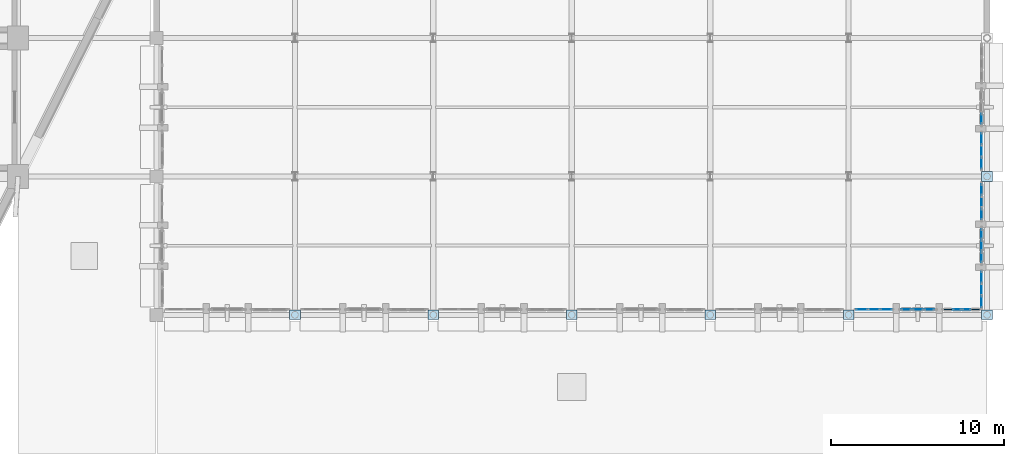
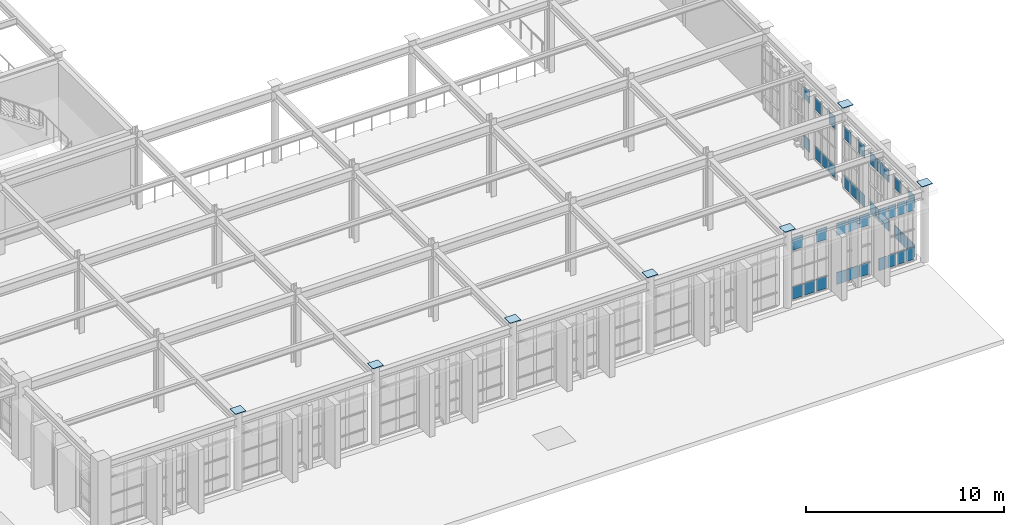
# One storey, part 128 of 155: 49 plates, 8 elements without a shape of their own.
"""IFC4 building model written with IfcOpenShell, lengths in metres."""

from ifc_helpers import new_model, si_unit, direction, frame, origin, origin_2d, place, context, subcontext, project, spatial, rectangle, extrude, material, layer, layer_set, type_object, element, aggregate, save


model = new_model("IFC4")

# Units and contexts
model_context = context("Model", 3, precision=1e-05, world=origin(), true_north=direction((0.0, 1.0)))
body_context = subcontext(model_context, "Body", "Model", "MODEL_VIEW")
ifc_project = project(units=[si_unit("LENGTHUNIT", "METRE"), si_unit("AREAUNIT", "SQUARE_METRE"), si_unit("VOLUMEUNIT", "CUBIC_METRE"), si_unit("PLANEANGLEUNIT", "RADIAN"), si_unit("MASSUNIT", "GRAM", prefix="KILO")], contexts=[model_context])

# Site, building, storey
site_placement = place(None, origin())
site = spatial("IfcSite", under=ifc_project, at=site_placement, CompositionType="ELEMENT")
building_placement = place(site_placement, origin())
building = spatial("IfcBuilding", under=site, at=building_placement, Name="Tazarka Park Arena", CompositionType="ELEMENT")
storey_placement = place(building_placement, frame((0.0, 0.0, 5.39990234375)))
storey = spatial("IfcBuildingStorey", under=building, at=storey_placement, Name="L01", CompositionType="ELEMENT", Elevation=5.39990234375)

# Curtain wall, plates
ifc_material_1 = material(Name="Aluminium and low-e glass", Category="aluminium")
ifc_layer_1 = layer(ifc_material_1, 0.179931640625, Name="Aluminium and low-e glass")
ifc_layer_set_1 = layer_set([ifc_layer_1], Name="Aluminium and low-e glass")
curtain_wall_type_1 = type_object("IfcCurtainWallType", Name="CW-03", PredefinedType="NOTDEFINED", material=ifc_layer_set_1)
curtain_wall_1_placement = place(storey_placement, origin())
curtain_wall_1 = element("IfcCurtainWall", 1, at=curtain_wall_1_placement, inside=storey, type_object=curtain_wall_type_1, Name="Curtain Wall CWA-L01-183", PredefinedType="NOTDEFINED")
ifc_material_2 = material(Name="Double low-e insulated glazing", Category="glass")
ifc_layer_2 = layer(ifc_material_2, 0.028076171875, Name="Double low-e insulated glazing")
ifc_layer_set_2 = layer_set([ifc_layer_2], Name="Double low-e insulated glazing")
plate_type_1 = type_object("IfcPlateType", Name="CWP-01", PredefinedType="CURTAIN_PANEL", material=ifc_layer_set_2)
plate_1_placement = place(storey_placement, frame((178.173583984375, 40.320068359375, 0.065185546875), z_axis=(0.0, 0.0, 1.0), x_axis=(-1.0, 0.0, 0.0)))
plate_1 = element("IfcPlate", 2, at=plate_1_placement, type_object=plate_type_1, Name="CW-03 panel 1.1", PredefinedType="CURTAIN_PANEL", context=body_context, shape_type="SweptSolid", body=[
    extrude(rectangle(XDim=0.625244140625, YDim=0.028076171875, at=origin_2d()), origin(), (0.0, 0.0, 1.0), 0.75244140625),
])
plate_2_placement = place(storey_placement, frame((178.173583984375, 40.320068359375, 3.08251953125), z_axis=(0.0, 0.0, 1.0), x_axis=(-1.0, 0.0, 0.0)))
plate_2 = element("IfcPlate", 3, at=plate_2_placement, type_object=plate_type_1, Name="CW-03 panel 1.4", PredefinedType="CURTAIN_PANEL", context=body_context, shape_type="SweptSolid", body=[
    extrude(rectangle(XDim=0.625244140625, YDim=0.028076171875, at=origin_2d()), origin(), (0.0, 0.0, 1.0), 0.762451171875),
])
plate_3_placement = place(storey_placement, frame((177.467041015625, 40.320068359375, 0.065185546875), z_axis=(0.0, 0.0, 1.0), x_axis=(-1.0, 0.0, 0.0)))
plate_3 = element("IfcPlate", 4, at=plate_3_placement, type_object=plate_type_1, Name="CW-03 panel 2.1", PredefinedType="CURTAIN_PANEL", context=body_context, shape_type="SweptSolid", body=[
    extrude(rectangle(XDim=0.65771484375, YDim=0.028076171875, at=origin_2d()), origin(), (0.0, 0.0, 1.0), 0.75244140625),
])
plate_4_placement = place(storey_placement, frame((176.7607421875, 40.320068359375, 0.065185546875), z_axis=(0.0, 0.0, 1.0), x_axis=(-1.0, 0.0, 0.0)))
plate_4 = element("IfcPlate", 5, at=plate_4_placement, type_object=plate_type_1, Name="CW-03 panel 3.1", PredefinedType="CURTAIN_PANEL", context=body_context, shape_type="SweptSolid", body=[
    extrude(rectangle(XDim=0.625244140625, YDim=0.028076171875, at=origin_2d()), origin(), (0.0, 0.0, 1.0), 0.75244140625),
])
plate_5_placement = place(storey_placement, frame((176.7607421875, 40.320068359375, 3.08251953125), z_axis=(0.0, 0.0, 1.0), x_axis=(-1.0, 0.0, 0.0)))
plate_5 = element("IfcPlate", 6, at=plate_5_placement, type_object=plate_type_1, Name="CW-03 panel 3.4", PredefinedType="CURTAIN_PANEL", context=body_context, shape_type="SweptSolid", body=[
    extrude(rectangle(XDim=0.625244140625, YDim=0.028076171875, at=origin_2d()), origin(), (0.0, 0.0, 1.0), 0.762451171875),
])
aggregate(curtain_wall_1, [plate_1, plate_2, plate_3, plate_4, plate_5])

ifc_material_3 = material(Name="Aluminium and low-e glass", Category="aluminium")
ifc_layer_3 = layer(ifc_material_3, 0.179931640625, Name="Aluminium and low-e glass")
ifc_layer_set_3 = layer_set([ifc_layer_3], Name="Aluminium and low-e glass")
curtain_wall_type_2 = type_object("IfcCurtainWallType", Name="CW-06", PredefinedType="NOTDEFINED", material=ifc_layer_set_3)
curtain_wall_2_placement = place(storey_placement, origin())
curtain_wall_2 = element("IfcCurtainWall", 7, at=curtain_wall_2_placement, inside=storey, type_object=curtain_wall_type_2, Name="Curtain Wall CWA-L01-186", PredefinedType="NOTDEFINED")
plate_6_placement = place(storey_placement, frame((183.679931640625, 42.173583984375, 0.065185546875), z_axis=(0.0, 0.0, 1.0), x_axis=(0.0, -1.0, 0.0)))
plate_6 = element("IfcPlate", 8, at=plate_6_placement, type_object=plate_type_1, Name="CW-06 panel 1.1", PredefinedType="CURTAIN_PANEL", context=body_context, shape_type="SweptSolid", body=[
    extrude(rectangle(XDim=0.625244140625, YDim=0.028076171875, at=origin_2d()), origin(), (0.0, 0.0, 1.0), 0.75244140625),
])
plate_7_placement = place(storey_placement, frame((183.679931640625, 42.173583984375, 3.08251953125), z_axis=(0.0, 0.0, 1.0), x_axis=(0.0, -1.0, 0.0)))
plate_7 = element("IfcPlate", 9, at=plate_7_placement, type_object=plate_type_1, Name="CW-06 panel 1.4", PredefinedType="CURTAIN_PANEL", context=body_context, shape_type="SweptSolid", body=[
    extrude(rectangle(XDim=0.625244140625, YDim=0.028076171875, at=origin_2d()), origin(), (0.0, 0.0, 1.0), 0.762451171875),
])
plate_8_placement = place(storey_placement, frame((183.679931640625, 41.467041015625, 0.065185546875), z_axis=(0.0, 0.0, 1.0), x_axis=(0.0, -1.0, 0.0)))
plate_8 = element("IfcPlate", 10, at=plate_8_placement, type_object=plate_type_1, Name="CW-06 panel 2.1", PredefinedType="CURTAIN_PANEL", context=body_context, shape_type="SweptSolid", body=[
    extrude(rectangle(XDim=0.65771484375, YDim=0.028076171875, at=origin_2d()), origin(), (0.0, 0.0, 1.0), 0.75244140625),
])
plate_9_placement = place(storey_placement, frame((183.679931640625, 40.7607421875, 0.065185546875), z_axis=(0.0, 0.0, 1.0), x_axis=(0.0, -1.0, 0.0)))
plate_9 = element("IfcPlate", 11, at=plate_9_placement, type_object=plate_type_1, Name="CW-06 panel 3.1", PredefinedType="CURTAIN_PANEL", context=body_context, shape_type="SweptSolid", body=[
    extrude(rectangle(XDim=0.625244140625, YDim=0.028076171875, at=origin_2d()), origin(), (0.0, 0.0, 1.0), 0.75244140625),
])
plate_10_placement = place(storey_placement, frame((183.679931640625, 40.7607421875, 3.08251953125), z_axis=(0.0, 0.0, 1.0), x_axis=(0.0, -1.0, 0.0)))
plate_10 = element("IfcPlate", 12, at=plate_10_placement, type_object=plate_type_1, Name="CW-06 panel 3.4", PredefinedType="CURTAIN_PANEL", context=body_context, shape_type="SweptSolid", body=[
    extrude(rectangle(XDim=0.625244140625, YDim=0.028076171875, at=origin_2d()), origin(), (0.0, 0.0, 1.0), 0.762451171875),
])
aggregate(curtain_wall_2, [plate_6, plate_7, plate_8, plate_9, plate_10])

ifc_material_4 = material(Name="Aluminium and low-e glass", Category="aluminium")
ifc_layer_4 = layer(ifc_material_4, 0.179931640625, Name="Aluminium and low-e glass")
ifc_layer_set_4 = layer_set([ifc_layer_4], Name="Aluminium and low-e glass")
curtain_wall_type_3 = type_object("IfcCurtainWallType", Name="CW-09", PredefinedType="NOTDEFINED", material=ifc_layer_set_4)
curtain_wall_3_placement = place(storey_placement, origin())
curtain_wall_3 = element("IfcCurtainWall", 13, at=curtain_wall_3_placement, inside=storey, type_object=curtain_wall_type_3, Name="Curtain Wall CWA-L01-189", PredefinedType="NOTDEFINED")
plate_11_placement = place(storey_placement, frame((183.679931640625, 50.173583984375, 0.065185546875), z_axis=(0.0, 0.0, 1.0), x_axis=(0.0, -1.0, 0.0)))
plate_11 = element("IfcPlate", 14, at=plate_11_placement, type_object=plate_type_1, Name="CW-09 panel 1.1", PredefinedType="CURTAIN_PANEL", context=body_context, shape_type="SweptSolid", body=[
    extrude(rectangle(XDim=0.625244140625, YDim=0.028076171875, at=origin_2d()), origin(), (0.0, 0.0, 1.0), 0.75244140625),
])
plate_12_placement = place(storey_placement, frame((183.679931640625, 50.173583984375, 3.08251953125), z_axis=(0.0, 0.0, 1.0), x_axis=(0.0, -1.0, 0.0)))
plate_12 = element("IfcPlate", 15, at=plate_12_placement, type_object=plate_type_1, Name="CW-09 panel 1.4", PredefinedType="CURTAIN_PANEL", context=body_context, shape_type="SweptSolid", body=[
    extrude(rectangle(XDim=0.625244140625, YDim=0.028076171875, at=origin_2d()), origin(), (0.0, 0.0, 1.0), 0.762451171875),
])
plate_13_placement = place(storey_placement, frame((183.679931640625, 49.467041015625, 0.065185546875), z_axis=(0.0, 0.0, 1.0), x_axis=(0.0, -1.0, 0.0)))
plate_13 = element("IfcPlate", 16, at=plate_13_placement, type_object=plate_type_1, Name="CW-09 panel 2.1", PredefinedType="CURTAIN_PANEL", context=body_context, shape_type="SweptSolid", body=[
    extrude(rectangle(XDim=0.65771484375, YDim=0.028076171875, at=origin_2d()), origin(), (0.0, 0.0, 1.0), 0.75244140625),
])
plate_14_placement = place(storey_placement, frame((183.679931640625, 48.7607421875, 0.065185546875), z_axis=(0.0, 0.0, 1.0), x_axis=(0.0, -1.0, 0.0)))
plate_14 = element("IfcPlate", 17, at=plate_14_placement, type_object=plate_type_1, Name="CW-09 panel 3.1", PredefinedType="CURTAIN_PANEL", context=body_context, shape_type="SweptSolid", body=[
    extrude(rectangle(XDim=0.625244140625, YDim=0.028076171875, at=origin_2d()), origin(), (0.0, 0.0, 1.0), 0.75244140625),
])
plate_15_placement = place(storey_placement, frame((183.679931640625, 48.7607421875, 3.08251953125), z_axis=(0.0, 0.0, 1.0), x_axis=(0.0, -1.0, 0.0)))
plate_15 = element("IfcPlate", 18, at=plate_15_placement, type_object=plate_type_1, Name="CW-09 panel 3.4", PredefinedType="CURTAIN_PANEL", context=body_context, shape_type="SweptSolid", body=[
    extrude(rectangle(XDim=0.625244140625, YDim=0.028076171875, at=origin_2d()), origin(), (0.0, 0.0, 1.0), 0.762451171875),
])
aggregate(curtain_wall_3, [plate_11, plate_12, plate_13, plate_14, plate_15])

ifc_material_5 = material(Name="Aluminium and low-e glass", Category="aluminium")
ifc_layer_5 = layer(ifc_material_5, 0.179931640625, Name="Aluminium and low-e glass")
ifc_layer_set_5 = layer_set([ifc_layer_5], Name="Aluminium and low-e glass")
curtain_wall_type_4 = type_object("IfcCurtainWallType", Name="CW-01", PredefinedType="NOTDEFINED", material=ifc_layer_set_5)
curtain_wall_4_placement = place(storey_placement, origin())
curtain_wall_4 = element("IfcCurtainWall", 19, at=curtain_wall_4_placement, inside=storey, type_object=curtain_wall_type_4, Name="Curtain Wall CWA-L01-181", PredefinedType="NOTDEFINED")
ifc_material_6 = material(Name="Triple acoustic solar glazing", Category="glass")
ifc_layer_6 = layer(ifc_material_6, 0.031982421875, Name="Triple acoustic solar glazing")
ifc_layer_set_6 = layer_set([ifc_layer_6], Name="Triple acoustic solar glazing")
plate_type_2 = type_object("IfcPlateType", Name="CWP-02", PredefinedType="CURTAIN_PANEL", material=ifc_layer_set_6)
plate_16_placement = place(storey_placement, frame((183.32958984375, 40.320068359375, 0.065185546875), z_axis=(0.0, 0.0, 1.0), x_axis=(-1.0, 0.0, 0.0)))
plate_16 = element("IfcPlate", 20, at=plate_16_placement, type_object=plate_type_2, Name="CW-01 panel 1.1", PredefinedType="CURTAIN_PANEL", context=body_context, shape_type="SweptSolid", body=[
    extrude(rectangle(XDim=0.444580078125, YDim=0.031982421875, at=origin_2d()), origin(), (0.0, 0.0, 1.0), 0.75244140625),
])
plate_17_placement = place(storey_placement, frame((183.32958984375, 40.320068359375, 3.08251953125), z_axis=(0.0, 0.0, 1.0), x_axis=(-1.0, 0.0, 0.0)))
plate_17 = element("IfcPlate", 21, at=plate_17_placement, type_object=plate_type_2, Name="CW-01 panel 1.4", PredefinedType="CURTAIN_PANEL", context=body_context, shape_type="SweptSolid", body=[
    extrude(rectangle(XDim=0.444580078125, YDim=0.031982421875, at=origin_2d()), origin(), (0.0, 0.0, 1.0), 0.762451171875),
])
plate_18_placement = place(storey_placement, frame((182.803955078125, 40.320068359375, 0.065185546875), z_axis=(0.0, 0.0, 1.0), x_axis=(-1.0, 0.0, 0.0)))
plate_18 = element("IfcPlate", 22, at=plate_18_placement, type_object=plate_type_2, Name="CW-01 panel 2.1", PredefinedType="CURTAIN_PANEL", context=body_context, shape_type="SweptSolid", body=[
    extrude(rectangle(XDim=0.47705078125, YDim=0.031982421875, at=origin_2d()), origin(), (0.0, 0.0, 1.0), 0.75244140625),
])
plate_19_placement = place(storey_placement, frame((182.803955078125, 40.320068359375, 3.08251953125), z_axis=(0.0, 0.0, 1.0), x_axis=(-1.0, 0.0, 0.0)))
plate_19 = element("IfcPlate", 23, at=plate_19_placement, type_object=plate_type_2, Name="CW-01 panel 2.4", PredefinedType="CURTAIN_PANEL", context=body_context, shape_type="SweptSolid", body=[
    extrude(rectangle(XDim=0.47705078125, YDim=0.031982421875, at=origin_2d()), origin(), (0.0, 0.0, 1.0), 0.762451171875),
])
plate_20_placement = place(storey_placement, frame((182.261962890625, 40.320068359375, 0.065185546875), z_axis=(0.0, 0.0, 1.0), x_axis=(-1.0, 0.0, 0.0)))
plate_20 = element("IfcPlate", 24, at=plate_20_placement, type_object=plate_type_2, Name="CW-01 panel 3.1", PredefinedType="CURTAIN_PANEL", context=body_context, shape_type="SweptSolid", body=[
    extrude(rectangle(XDim=0.47705078125, YDim=0.031982421875, at=origin_2d()), origin(), (0.0, 0.0, 1.0), 0.75244140625),
])
plate_21_placement = place(storey_placement, frame((182.261962890625, 40.320068359375, 3.08251953125), z_axis=(0.0, 0.0, 1.0), x_axis=(-1.0, 0.0, 0.0)))
plate_21 = element("IfcPlate", 25, at=plate_21_placement, type_object=plate_type_2, Name="CW-01 panel 3.4", PredefinedType="CURTAIN_PANEL", context=body_context, shape_type="SweptSolid", body=[
    extrude(rectangle(XDim=0.47705078125, YDim=0.031982421875, at=origin_2d()), origin(), (0.0, 0.0, 1.0), 0.762451171875),
])
plate_22_placement = place(storey_placement, frame((181.736083984375, 40.320068359375, 0.065185546875), z_axis=(0.0, 0.0, 1.0), x_axis=(-1.0, 0.0, 0.0)))
plate_22 = element("IfcPlate", 26, at=plate_22_placement, type_object=plate_type_2, Name="CW-01 panel 4.1", PredefinedType="CURTAIN_PANEL", context=body_context, shape_type="SweptSolid", body=[
    extrude(rectangle(XDim=0.444580078125, YDim=0.031982421875, at=origin_2d()), origin(), (0.0, 0.0, 1.0), 0.75244140625),
])
plate_23_placement = place(storey_placement, frame((181.736083984375, 40.320068359375, 3.08251953125), z_axis=(0.0, 0.0, 1.0), x_axis=(-1.0, 0.0, 0.0)))
plate_23 = element("IfcPlate", 27, at=plate_23_placement, type_object=plate_type_2, Name="CW-01 panel 4.4", PredefinedType="CURTAIN_PANEL", context=body_context, shape_type="SweptSolid", body=[
    extrude(rectangle(XDim=0.444580078125, YDim=0.031982421875, at=origin_2d()), origin(), (0.0, 0.0, 1.0), 0.762451171875),
])
aggregate(curtain_wall_4, [plate_16, plate_17, plate_18, plate_19, plate_20, plate_21, plate_22, plate_23])

ifc_material_7 = material(Name="Aluminium and low-e glass", Category="aluminium")
ifc_layer_7 = layer(ifc_material_7, 0.179931640625, Name="Aluminium and low-e glass")
ifc_layer_set_7 = layer_set([ifc_layer_7], Name="Aluminium and low-e glass")
curtain_wall_type_5 = type_object("IfcCurtainWallType", Name="CW-04", PredefinedType="NOTDEFINED", material=ifc_layer_set_7)
curtain_wall_5_placement = place(storey_placement, origin())
curtain_wall_5 = element("IfcCurtainWall", 28, at=curtain_wall_5_placement, inside=storey, type_object=curtain_wall_type_5, Name="Curtain Wall CWA-L01-184", PredefinedType="NOTDEFINED")
plate_24_placement = place(storey_placement, frame((183.679931640625, 47.2392578125, 0.065185546875), z_axis=(0.0, 0.0, 1.0), x_axis=(0.0, -1.0, 0.0)))
plate_24 = element("IfcPlate", 29, at=plate_24_placement, type_object=plate_type_2, Name="CW-04 panel 1.1", PredefinedType="CURTAIN_PANEL", context=body_context, shape_type="SweptSolid", body=[
    extrude(rectangle(XDim=0.625244140625, YDim=0.031982421875, at=origin_2d()), origin(), (0.0, 0.0, 1.0), 0.75244140625),
])
plate_25_placement = place(storey_placement, frame((183.679931640625, 47.2392578125, 3.08251953125), z_axis=(0.0, 0.0, 1.0), x_axis=(0.0, -1.0, 0.0)))
plate_25 = element("IfcPlate", 30, at=plate_25_placement, type_object=plate_type_2, Name="CW-04 panel 1.4", PredefinedType="CURTAIN_PANEL", context=body_context, shape_type="SweptSolid", body=[
    extrude(rectangle(XDim=0.625244140625, YDim=0.031982421875, at=origin_2d()), origin(), (0.0, 0.0, 1.0), 0.762451171875),
])
plate_26_placement = place(storey_placement, frame((183.679931640625, 46.532958984375, 0.065185546875), z_axis=(0.0, 0.0, 1.0), x_axis=(0.0, -1.0, 0.0)))
plate_26 = element("IfcPlate", 31, at=plate_26_placement, type_object=plate_type_2, Name="CW-04 panel 2.1", PredefinedType="CURTAIN_PANEL", context=body_context, shape_type="SweptSolid", body=[
    extrude(rectangle(XDim=0.65771484375, YDim=0.031982421875, at=origin_2d()), origin(), (0.0, 0.0, 1.0), 0.75244140625),
])
plate_27_placement = place(storey_placement, frame((183.679931640625, 45.826416015625, 0.065185546875), z_axis=(0.0, 0.0, 1.0), x_axis=(0.0, -1.0, 0.0)))
plate_27 = element("IfcPlate", 32, at=plate_27_placement, type_object=plate_type_2, Name="CW-04 panel 3.1", PredefinedType="CURTAIN_PANEL", context=body_context, shape_type="SweptSolid", body=[
    extrude(rectangle(XDim=0.625244140625, YDim=0.031982421875, at=origin_2d()), origin(), (0.0, 0.0, 1.0), 0.75244140625),
])
plate_28_placement = place(storey_placement, frame((183.679931640625, 45.826416015625, 3.08251953125), z_axis=(0.0, 0.0, 1.0), x_axis=(0.0, -1.0, 0.0)))
plate_28 = element("IfcPlate", 33, at=plate_28_placement, type_object=plate_type_2, Name="CW-04 panel 3.4", PredefinedType="CURTAIN_PANEL", context=body_context, shape_type="SweptSolid", body=[
    extrude(rectangle(XDim=0.625244140625, YDim=0.031982421875, at=origin_2d()), origin(), (0.0, 0.0, 1.0), 0.762451171875),
])
aggregate(curtain_wall_5, [plate_24, plate_25, plate_26, plate_27, plate_28])

ifc_material_8 = material(Name="Aluminium and low-e glass", Category="aluminium")
ifc_layer_8 = layer(ifc_material_8, 0.179931640625, Name="Aluminium and low-e glass")
ifc_layer_set_8 = layer_set([ifc_layer_8], Name="Aluminium and low-e glass")
curtain_wall_type_6 = type_object("IfcCurtainWallType", Name="CW-02", PredefinedType="NOTDEFINED", material=ifc_layer_set_8)
curtain_wall_6_placement = place(storey_placement, origin())
curtain_wall_6 = element("IfcCurtainWall", 34, at=curtain_wall_6_placement, inside=storey, type_object=curtain_wall_type_6, Name="Curtain Wall CWA-L01-182", PredefinedType="NOTDEFINED")
ifc_material_9 = material(Name="Insulated aluminium spandrel panel", Category="aluminium")
ifc_layer_9 = layer(ifc_material_9, 0.035888671875, Name="Insulated aluminium spandrel panel")
ifc_layer_set_9 = layer_set([ifc_layer_9], Name="Insulated aluminium spandrel panel")
plate_type_3 = type_object("IfcPlateType", Name="CWP-03", PredefinedType="CURTAIN_PANEL", material=ifc_layer_set_9)
plate_29_placement = place(storey_placement, frame((180.667236328125, 40.320068359375, 0.0751953125), z_axis=(0.0, 0.0, 1.0), x_axis=(-1.0, 0.0, 0.0)))
plate_29 = element("IfcPlate", 35, at=plate_29_placement, type_object=plate_type_3, Name="CW-02 panel 1.1", PredefinedType="CURTAIN_PANEL", context=body_context, shape_type="SweptSolid", body=[
    extrude(rectangle(XDim=0.573486328125, YDim=0.035888671875, at=origin_2d()), origin(), (0.0, 0.0, 1.0), 0.737548828125),
])
plate_30_placement = place(storey_placement, frame((180.667236328125, 40.320068359375, 3.087646484375), z_axis=(0.0, 0.0, 1.0), x_axis=(-1.0, 0.0, 0.0)))
plate_30 = element("IfcPlate", 36, at=plate_30_placement, type_object=plate_type_3, Name="CW-02 panel 1.4", PredefinedType="CURTAIN_PANEL", context=body_context, shape_type="SweptSolid", body=[
    extrude(rectangle(XDim=0.573486328125, YDim=0.035888671875, at=origin_2d()), origin(), (0.0, 0.0, 1.0), 0.74755859375),
])
plate_31_placement = place(storey_placement, frame((180.0, 40.320068359375, 0.0751953125), z_axis=(0.0, 0.0, 1.0), x_axis=(-1.0, 0.0, 0.0)))
plate_31 = element("IfcPlate", 37, at=plate_31_placement, type_object=plate_type_3, Name="CW-02 panel 2.1", PredefinedType="CURTAIN_PANEL", context=body_context, shape_type="SweptSolid", body=[
    extrude(rectangle(XDim=0.61083984375, YDim=0.035888671875, at=origin_2d()), origin(), (0.0, 0.0, 1.0), 0.737548828125),
])
plate_32_placement = place(storey_placement, frame((180.0, 40.320068359375, 3.087646484375), z_axis=(0.0, 0.0, 1.0), x_axis=(-1.0, 0.0, 0.0)))
plate_32 = element("IfcPlate", 38, at=plate_32_placement, type_object=plate_type_3, Name="CW-02 panel 2.4", PredefinedType="CURTAIN_PANEL", context=body_context, shape_type="SweptSolid", body=[
    extrude(rectangle(XDim=0.61083984375, YDim=0.035888671875, at=origin_2d()), origin(), (0.0, 0.0, 1.0), 0.74755859375),
])
plate_33_placement = place(storey_placement, frame((179.332763671875, 40.320068359375, 0.0751953125), z_axis=(0.0, 0.0, 1.0), x_axis=(-1.0, 0.0, 0.0)))
plate_33 = element("IfcPlate", 39, at=plate_33_placement, type_object=plate_type_3, Name="CW-02 panel 3.1", PredefinedType="CURTAIN_PANEL", context=body_context, shape_type="SweptSolid", body=[
    extrude(rectangle(XDim=0.573486328125, YDim=0.035888671875, at=origin_2d()), origin(), (0.0, 0.0, 1.0), 0.737548828125),
])
plate_34_placement = place(storey_placement, frame((179.332763671875, 40.320068359375, 3.087646484375), z_axis=(0.0, 0.0, 1.0), x_axis=(-1.0, 0.0, 0.0)))
plate_34 = element("IfcPlate", 40, at=plate_34_placement, type_object=plate_type_3, Name="CW-02 panel 3.4", PredefinedType="CURTAIN_PANEL", context=body_context, shape_type="SweptSolid", body=[
    extrude(rectangle(XDim=0.573486328125, YDim=0.035888671875, at=origin_2d()), origin(), (0.0, 0.0, 1.0), 0.74755859375),
])
aggregate(curtain_wall_6, [plate_29, plate_30, plate_31, plate_32, plate_33, plate_34])

ifc_material_10 = material(Name="Aluminium and low-e glass", Category="aluminium")
ifc_layer_10 = layer(ifc_material_10, 0.179931640625, Name="Aluminium and low-e glass")
ifc_layer_set_10 = layer_set([ifc_layer_10], Name="Aluminium and low-e glass")
curtain_wall_type_7 = type_object("IfcCurtainWallType", Name="CW-05", PredefinedType="NOTDEFINED", material=ifc_layer_set_10)
curtain_wall_7_placement = place(storey_placement, origin())
curtain_wall_7 = element("IfcCurtainWall", 41, at=curtain_wall_7_placement, inside=storey, type_object=curtain_wall_type_7, Name="Curtain Wall CWA-L01-185", PredefinedType="NOTDEFINED")
plate_35_placement = place(storey_placement, frame((183.679931640625, 44.667236328125, 0.0751953125), z_axis=(0.0, 0.0, 1.0), x_axis=(0.0, -1.0, 0.0)))
plate_35 = element("IfcPlate", 42, at=plate_35_placement, type_object=plate_type_3, Name="CW-05 panel 1.1", PredefinedType="CURTAIN_PANEL", context=body_context, shape_type="SweptSolid", body=[
    extrude(rectangle(XDim=0.573486328125, YDim=0.035888671875, at=origin_2d()), origin(), (0.0, 0.0, 1.0), 0.737548828125),
])
plate_36_placement = place(storey_placement, frame((183.679931640625, 44.667236328125, 3.087646484375), z_axis=(0.0, 0.0, 1.0), x_axis=(0.0, -1.0, 0.0)))
plate_36 = element("IfcPlate", 43, at=plate_36_placement, type_object=plate_type_3, Name="CW-05 panel 1.4", PredefinedType="CURTAIN_PANEL", context=body_context, shape_type="SweptSolid", body=[
    extrude(rectangle(XDim=0.573486328125, YDim=0.035888671875, at=origin_2d()), origin(), (0.0, 0.0, 1.0), 0.74755859375),
])
plate_37_placement = place(storey_placement, frame((183.679931640625, 44.0, 0.0751953125), z_axis=(0.0, 0.0, 1.0), x_axis=(0.0, -1.0, 0.0)))
plate_37 = element("IfcPlate", 44, at=plate_37_placement, type_object=plate_type_3, Name="CW-05 panel 2.1", PredefinedType="CURTAIN_PANEL", context=body_context, shape_type="SweptSolid", body=[
    extrude(rectangle(XDim=0.61083984375, YDim=0.035888671875, at=origin_2d()), origin(), (0.0, 0.0, 1.0), 0.737548828125),
])
plate_38_placement = place(storey_placement, frame((183.679931640625, 44.0, 3.087646484375), z_axis=(0.0, 0.0, 1.0), x_axis=(0.0, -1.0, 0.0)))
plate_38 = element("IfcPlate", 45, at=plate_38_placement, type_object=plate_type_3, Name="CW-05 panel 2.4", PredefinedType="CURTAIN_PANEL", context=body_context, shape_type="SweptSolid", body=[
    extrude(rectangle(XDim=0.61083984375, YDim=0.035888671875, at=origin_2d()), origin(), (0.0, 0.0, 1.0), 0.74755859375),
])
plate_39_placement = place(storey_placement, frame((183.679931640625, 43.332763671875, 0.0751953125), z_axis=(0.0, 0.0, 1.0), x_axis=(0.0, -1.0, 0.0)))
plate_39 = element("IfcPlate", 46, at=plate_39_placement, type_object=plate_type_3, Name="CW-05 panel 3.1", PredefinedType="CURTAIN_PANEL", context=body_context, shape_type="SweptSolid", body=[
    extrude(rectangle(XDim=0.573486328125, YDim=0.035888671875, at=origin_2d()), origin(), (0.0, 0.0, 1.0), 0.737548828125),
])
plate_40_placement = place(storey_placement, frame((183.679931640625, 43.332763671875, 3.087646484375), z_axis=(0.0, 0.0, 1.0), x_axis=(0.0, -1.0, 0.0)))
plate_40 = element("IfcPlate", 47, at=plate_40_placement, type_object=plate_type_3, Name="CW-05 panel 3.4", PredefinedType="CURTAIN_PANEL", context=body_context, shape_type="SweptSolid", body=[
    extrude(rectangle(XDim=0.573486328125, YDim=0.035888671875, at=origin_2d()), origin(), (0.0, 0.0, 1.0), 0.74755859375),
])
aggregate(curtain_wall_7, [plate_35, plate_36, plate_37, plate_38, plate_39, plate_40])

ifc_material_11 = material(Name="Aluminium and low-e glass", Category="aluminium")
ifc_layer_11 = layer(ifc_material_11, 0.179931640625, Name="Aluminium and low-e glass")
ifc_layer_set_11 = layer_set([ifc_layer_11], Name="Aluminium and low-e glass")
curtain_wall_type_8 = type_object("IfcCurtainWallType", Name="CW-08", PredefinedType="NOTDEFINED", material=ifc_layer_set_11)
curtain_wall_8_placement = place(storey_placement, origin())
curtain_wall_8 = element("IfcCurtainWall", 48, at=curtain_wall_8_placement, inside=storey, type_object=curtain_wall_type_8, Name="Curtain Wall CWA-L01-188", PredefinedType="NOTDEFINED")
plate_41_placement = place(storey_placement, frame((183.679931640625, 51.332763671875, 0.0751953125), z_axis=(0.0, 0.0, 1.0), x_axis=(0.0, -1.0, 0.0)))
plate_41 = element("IfcPlate", 49, at=plate_41_placement, type_object=plate_type_3, Name="CW-08 panel 3.1", PredefinedType="CURTAIN_PANEL", context=body_context, shape_type="SweptSolid", body=[
    extrude(rectangle(XDim=0.573486328125, YDim=0.035888671875, at=origin_2d()), origin(), (0.0, 0.0, 1.0), 0.737548828125),
])
plate_42_placement = place(storey_placement, frame((183.679931640625, 51.332763671875, 3.087646484375), z_axis=(0.0, 0.0, 1.0), x_axis=(0.0, -1.0, 0.0)))
plate_42 = element("IfcPlate", 50, at=plate_42_placement, type_object=plate_type_3, Name="CW-08 panel 3.4", PredefinedType="CURTAIN_PANEL", context=body_context, shape_type="SweptSolid", body=[
    extrude(rectangle(XDim=0.573486328125, YDim=0.035888671875, at=origin_2d()), origin(), (0.0, 0.0, 1.0), 0.74755859375),
])
aggregate(curtain_wall_8, [plate_41, plate_42])

# Plates
ifc_material_12 = material(Name="Steel S460", Category="steel")
ifc_layer_12 = layer(ifc_material_12, 0.030029296875, Name="Steel S460")
ifc_layer_set_12 = layer_set([ifc_layer_12], Name="Steel S460")
plate_type_4 = type_object("IfcPlateType", Name="PLT-PL-01", PredefinedType="SHEET", material=ifc_layer_set_12)
for number, where, z_axis, x_axis, name in (
    (51, (144.0, 40.0, 4.80029296875), (0.0, 0.0, 1.0), (1.0, 0.0, 0.0), "CPL-L01-18-05"),
    (52, (152.0, 40.0, 4.80029296875), (0.0, 0.0, 1.0), (1.0, 0.0, 0.0), "CPL-L01-19-05"),
    (53, (160.0, 40.0, 4.80029296875), (0.0, 0.0, 1.0), (1.0, 0.0, 0.0), "CPL-L01-20-05"),
    (54, (168.0, 40.0, 4.80029296875), (0.0, 0.0, 1.0), (1.0, 0.0, 0.0), "CPL-L01-21-05"),
    (55, (176.0, 40.0, 4.80029296875), (0.0, 0.0, 1.0), (1.0, 0.0, 0.0), "CPL-L01-22-05"),
    (56, (184.0, 40.0, 4.80029296875), (0.0, 0.0, 1.0), (1.0, 0.0, 0.0), "CPL-L01-23-05"),
    (57, (184.0, 48.0, 4.80029296875), (0.0, 0.0, 1.0), (1.0, 0.0, 0.0), "CPL-L01-23-06"),
):
    element("IfcPlate", number, at=place(storey_placement, frame(where, z_axis=z_axis, x_axis=x_axis)), inside=storey, type_object=plate_type_4, Name=name, PredefinedType="SHEET", context=body_context, shape_type="SweptSolid", body=[
        extrude(rectangle(XDim=0.6201171875, YDim=0.56005859375, at=origin_2d()), origin(), (0.0, 0.0, 1.0), 0.030029296875),
    ])

save(model, "model.ifc")
